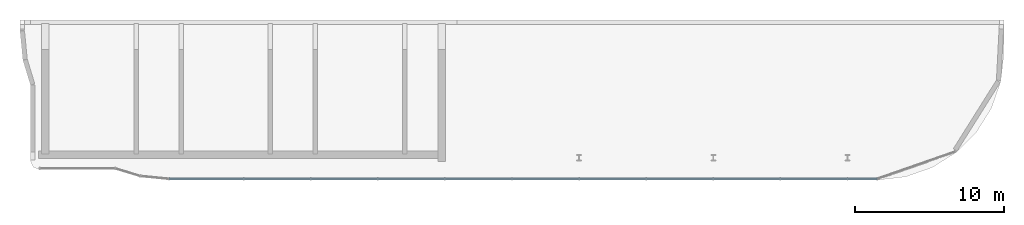
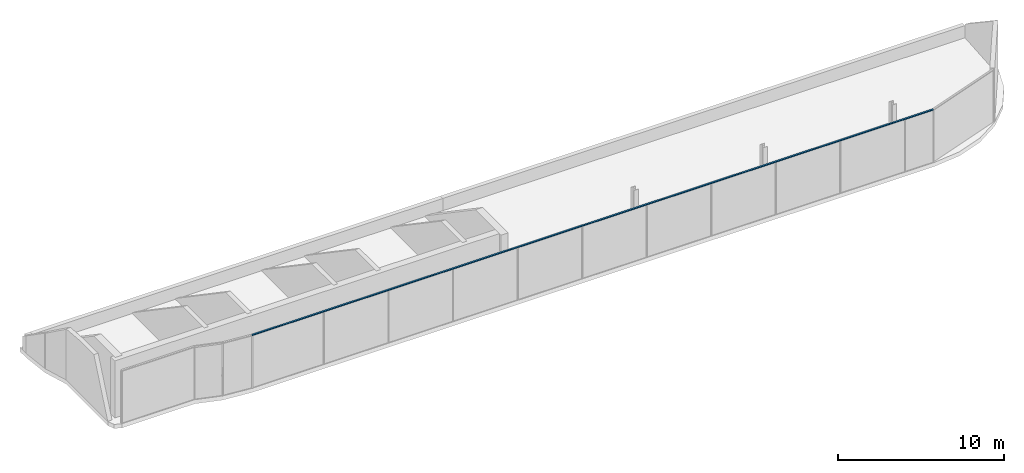
# One storey, part 3 of 5: 1 member, 1 element without a shape of its own.
"""IFC4 building model written with IfcOpenShell, lengths in metres."""

from ifc_helpers import new_model, si_unit, direction, frame, origin, origin_2d, place, context, subcontext, project, spatial, rectangle, extrude, material, material_profile, profile_set, type_object, element, aggregate, save


model = new_model("IFC4")

# Units and contexts
model_context = context("Model", 3, precision=1e-05, world=origin(), true_north=direction((0.0, 1.0)))
body_context = subcontext(model_context, "Body", "Model", "MODEL_VIEW")
ifc_project = project(units=[si_unit("LENGTHUNIT", "METRE"), si_unit("AREAUNIT", "SQUARE_METRE"), si_unit("VOLUMEUNIT", "CUBIC_METRE"), si_unit("PLANEANGLEUNIT", "RADIAN"), si_unit("MASSUNIT", "GRAM", prefix="KILO")], contexts=[model_context])

# Site, building, storey
site_placement = place(None, origin())
site = spatial("IfcSite", under=ifc_project, at=site_placement, CompositionType="ELEMENT")
building_placement = place(site_placement, origin())
building = spatial("IfcBuilding", under=site, at=building_placement, Name="Ogive Portal Towers", CompositionType="ELEMENT")
storey_placement = place(building_placement, frame((0.0, 0.0, 289.699951171875)))
storey = spatial("IfcBuildingStorey", under=building, at=storey_placement, Name="L70", CompositionType="ELEMENT", Elevation=289.699951171875)

# Curtain wall, member
ifc_material_1 = material(Name="Glass, clear low-iron insulated glazing", Category="glass")
curtain_wall_type = type_object("IfcCurtainWallType", Name="CW CROWN GLAZING", PredefinedType="NOTDEFINED", material=ifc_material_1)
curtain_wall_placement = place(storey_placement, origin())
curtain_wall = element("IfcCurtainWall", 1, at=curtain_wall_placement, inside=storey, type_object=curtain_wall_type, Name="A:L70:c12:cw", PredefinedType="NOTDEFINED")
ifc_material_2 = material(Name="Aluminium 6063 anodised", Category="aluminium")
ifc_material_profile = material_profile(ifc_material_2, rectangle(XDim=0.1201171875, YDim=0.06005859375, at=origin_2d()), Name="AL 120x60")
ifc_profile_set = profile_set([ifc_material_profile], Name="Aluminium 6063 anodised")
member_type = type_object("IfcMemberType", Name="CW TRANSOM 60x120", PredefinedType="USERDEFINED", material=ifc_profile_set)
member_placement = place(storey_placement, frame((40.00390625, 20.080078125, 3.8701171875), z_axis=(1.0, 0.0, 0.0), x_axis=(0.0, 1.0, 0.0)))
member = element("IfcMember", 2, at=member_placement, type_object=member_type, Name="transom", ObjectType="TRANSOM", PredefinedType="USERDEFINED", context=body_context, shape_type="SweptSolid", body=[
    extrude(rectangle(XDim=0.1201171875, YDim=0.06005859375, at=origin_2d()), origin(), (0.0, 0.0, 1.0), 47.482421875),
])
aggregate(curtain_wall, [member])

save(model, "model.ifc")
